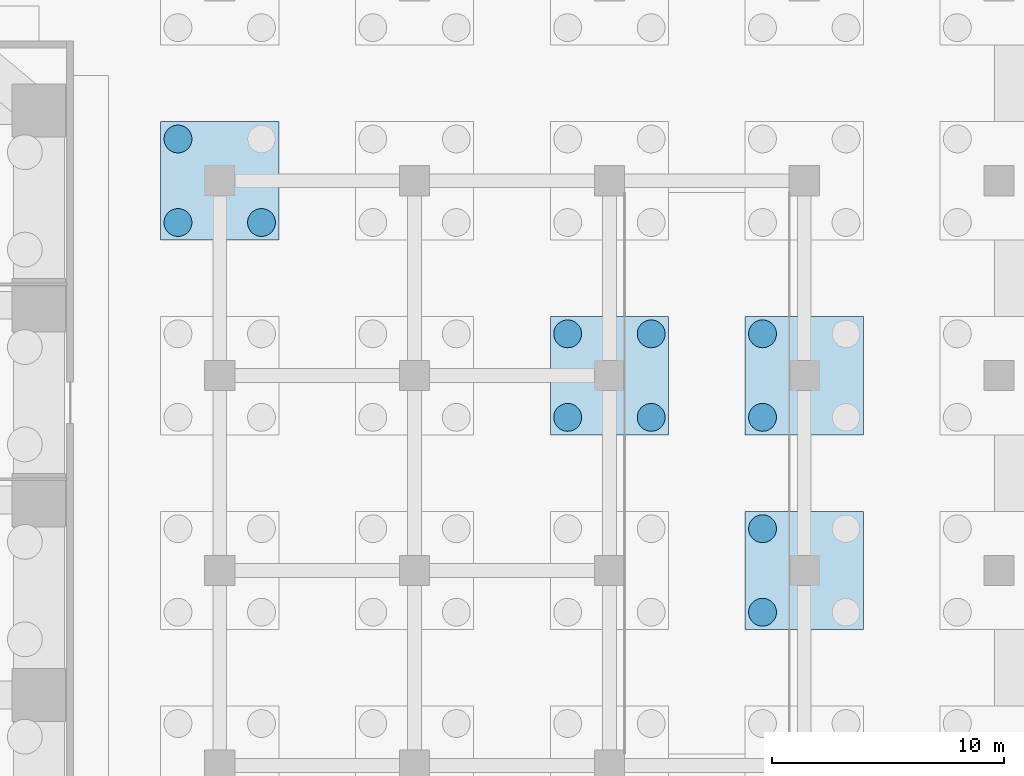
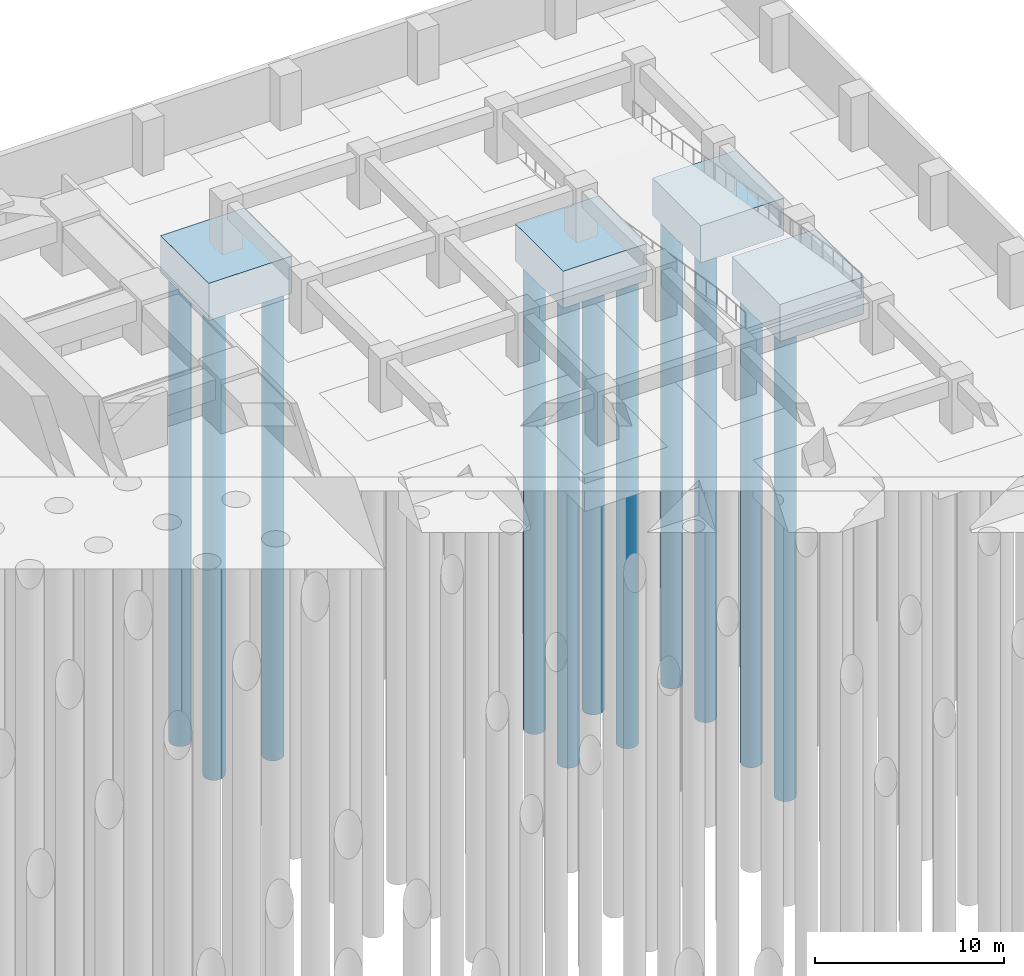
# One storey, part 43 of 73: 11 piles, 4 footings.
"""IFC4 building model written with IfcOpenShell, lengths in metres."""

from ifc_helpers import new_model, si_unit, direction, frame, origin, origin_2d, place, context, subcontext, project, spatial, polyline, circle, outline, extrude, material, material_profile, profile_set, type_object, element, save


model = new_model("IFC4")

# Units and contexts
model_context = context("Model", 3, precision=1e-05, world=origin(), true_north=direction((0.0, 1.0)))
body_context = subcontext(model_context, "Body", "Model", "MODEL_VIEW")
ifc_project = project(units=[si_unit("LENGTHUNIT", "METRE"), si_unit("AREAUNIT", "SQUARE_METRE"), si_unit("VOLUMEUNIT", "CUBIC_METRE"), si_unit("PLANEANGLEUNIT", "RADIAN"), si_unit("MASSUNIT", "GRAM", prefix="KILO")], contexts=[model_context])

# Site, building, storey
site_placement = place(None, origin())
site = spatial("IfcSite", under=ifc_project, at=site_placement, CompositionType="ELEMENT")
building_placement = place(site_placement, origin())
building = spatial("IfcBuilding", under=site, at=building_placement, Name="Impinga Residences", CompositionType="ELEMENT")
storey_placement = place(building_placement, frame((0.0, 0.0, -10.5)))
storey = spatial("IfcBuildingStorey", under=building, at=storey_placement, Name="B3", CompositionType="ELEMENT", Elevation=-10.5)

# Piles
ifc_material_1 = material(Name="Concrete C35/45", Category="concrete")
ifc_material_profile = material_profile(ifc_material_1, circle(Radius=0.60009765625, at=origin_2d()), Name="D1200")
ifc_profile_set = profile_set([ifc_material_profile], Name="Concrete C35/45")
pile_type = type_object("IfcPileType", Name="BP2 bored pile D1200", PredefinedType="BORED", material=ifc_profile_set)
pile_1_placement = place(storey_placement, frame((15.0, 40.199951171875, -2.39990234375), z_axis=(0.0, 0.0, -1.0), x_axis=(1.0, 0.0, 0.0)))
element("IfcPile", 1, at=pile_1_placement, inside=storey, type_object=pile_type, Name="Cap pile BP2 9/L-1", PredefinedType="BORED", context=body_context, shape_type="SweptSolid", body=[
    extrude(outline(polyline([(0.60009765625, 0.0), (0.59716796875, 0.058837890625), (0.58837890625, 0.116943359375), (0.57421875, 0.174072265625), (0.554443359375, 0.2294921875), (0.529052734375, 0.282958984375), (0.498779296875, 0.333251953125), (0.4638671875, 0.380615234375), (0.42431640625, 0.42431640625), (0.380615234375, 0.4638671875), (0.333251953125, 0.498779296875), (0.282958984375, 0.529052734375), (0.2294921875, 0.554443359375), (0.174072265625, 0.57421875), (0.116943359375, 0.58837890625), (0.058837890625, 0.59716796875), (0.0, 0.60009765625), (-0.058837890625, 0.59716796875), (-0.116943359375, 0.58837890625), (-0.174072265625, 0.57421875), (-0.2294921875, 0.554443359375), (-0.282958984375, 0.529052734375), (-0.333251953125, 0.498779296875), (-0.380615234375, 0.4638671875), (-0.42431640625, 0.42431640625), (-0.4638671875, 0.380615234375), (-0.498779296875, 0.333251953125), (-0.529052734375, 0.282958984375), (-0.554443359375, 0.2294921875), (-0.57421875, 0.174072265625), (-0.58837890625, 0.116943359375), (-0.59716796875, 0.058837890625), (-0.60009765625, 0.0), (-0.59716796875, -0.058837890625), (-0.58837890625, -0.116943359375), (-0.57421875, -0.174072265625), (-0.554443359375, -0.2294921875), (-0.529052734375, -0.282958984375), (-0.498779296875, -0.333251953125), (-0.4638671875, -0.380615234375), (-0.42431640625, -0.42431640625), (-0.380615234375, -0.4638671875), (-0.333251953125, -0.498779296875), (-0.282958984375, -0.529052734375), (-0.2294921875, -0.554443359375), (-0.174072265625, -0.57421875), (-0.116943359375, -0.58837890625), (-0.058837890625, -0.59716796875), (0.0, -0.60009765625), (0.058837890625, -0.59716796875), (0.116943359375, -0.58837890625), (0.174072265625, -0.57421875), (0.2294921875, -0.554443359375), (0.282958984375, -0.529052734375), (0.333251953125, -0.498779296875), (0.380615234375, -0.4638671875), (0.42431640625, -0.42431640625), (0.4638671875, -0.380615234375), (0.498779296875, -0.333251953125), (0.529052734375, -0.282958984375), (0.554443359375, -0.2294921875), (0.57421875, -0.174072265625), (0.58837890625, -0.116943359375), (0.59716796875, -0.058837890625), (0.60009765625, 0.0)])), origin(), (0.0, 0.0, 1.0), 30.0),
])
pile_2_placement = place(storey_placement, frame((18.60009765625, 40.199951171875, -2.39990234375), z_axis=(0.0, 0.0, -1.0), x_axis=(1.0, 0.0, 0.0)))
element("IfcPile", 2, at=pile_2_placement, inside=storey, type_object=pile_type, Name="Cap pile BP2 9/L-2", PredefinedType="BORED", context=body_context, shape_type="SweptSolid", body=[
    extrude(outline(polyline([(0.60009765625, 0.0), (0.59716796875, 0.058837890625), (0.58837890625, 0.116943359375), (0.57421875, 0.174072265625), (0.554443359375, 0.2294921875), (0.529052734375, 0.282958984375), (0.498779296875, 0.333251953125), (0.4638671875, 0.380615234375), (0.42431640625, 0.42431640625), (0.380615234375, 0.4638671875), (0.333251953125, 0.498779296875), (0.282958984375, 0.529052734375), (0.2294921875, 0.554443359375), (0.174072265625, 0.57421875), (0.116943359375, 0.58837890625), (0.058837890625, 0.59716796875), (0.0, 0.60009765625), (-0.058837890625, 0.59716796875), (-0.116943359375, 0.58837890625), (-0.174072265625, 0.57421875), (-0.2294921875, 0.554443359375), (-0.282958984375, 0.529052734375), (-0.333251953125, 0.498779296875), (-0.380615234375, 0.4638671875), (-0.42431640625, 0.42431640625), (-0.4638671875, 0.380615234375), (-0.498779296875, 0.333251953125), (-0.529052734375, 0.282958984375), (-0.554443359375, 0.2294921875), (-0.57421875, 0.174072265625), (-0.58837890625, 0.116943359375), (-0.59716796875, 0.058837890625), (-0.60009765625, 0.0), (-0.59716796875, -0.058837890625), (-0.58837890625, -0.116943359375), (-0.57421875, -0.174072265625), (-0.554443359375, -0.2294921875), (-0.529052734375, -0.282958984375), (-0.498779296875, -0.333251953125), (-0.4638671875, -0.380615234375), (-0.42431640625, -0.42431640625), (-0.380615234375, -0.4638671875), (-0.333251953125, -0.498779296875), (-0.282958984375, -0.529052734375), (-0.2294921875, -0.554443359375), (-0.174072265625, -0.57421875), (-0.116943359375, -0.58837890625), (-0.058837890625, -0.59716796875), (0.0, -0.60009765625), (0.058837890625, -0.59716796875), (0.116943359375, -0.58837890625), (0.174072265625, -0.57421875), (0.2294921875, -0.554443359375), (0.282958984375, -0.529052734375), (0.333251953125, -0.498779296875), (0.380615234375, -0.4638671875), (0.42431640625, -0.42431640625), (0.4638671875, -0.380615234375), (0.498779296875, -0.333251953125), (0.529052734375, -0.282958984375), (0.554443359375, -0.2294921875), (0.57421875, -0.174072265625), (0.58837890625, -0.116943359375), (0.59716796875, -0.058837890625), (0.60009765625, 0.0)])), origin(), (0.0, 0.0, 1.0), 30.0),
])
pile_3_placement = place(storey_placement, frame((15.0, 43.800048828125, -2.39990234375), z_axis=(0.0, 0.0, -1.0), x_axis=(1.0, 0.0, 0.0)))
element("IfcPile", 3, at=pile_3_placement, inside=storey, type_object=pile_type, Name="Cap pile BP2 9/L-4", PredefinedType="BORED", context=body_context, shape_type="SweptSolid", body=[
    extrude(outline(polyline([(0.60009765625, 0.0), (0.59716796875, 0.058837890625), (0.58837890625, 0.116943359375), (0.57421875, 0.174072265625), (0.554443359375, 0.2294921875), (0.529052734375, 0.282958984375), (0.498779296875, 0.333251953125), (0.4638671875, 0.380615234375), (0.42431640625, 0.42431640625), (0.380615234375, 0.4638671875), (0.333251953125, 0.498779296875), (0.282958984375, 0.529052734375), (0.2294921875, 0.554443359375), (0.174072265625, 0.57421875), (0.116943359375, 0.58837890625), (0.058837890625, 0.59716796875), (0.0, 0.60009765625), (-0.058837890625, 0.59716796875), (-0.116943359375, 0.58837890625), (-0.174072265625, 0.57421875), (-0.2294921875, 0.554443359375), (-0.282958984375, 0.529052734375), (-0.333251953125, 0.498779296875), (-0.380615234375, 0.4638671875), (-0.42431640625, 0.42431640625), (-0.4638671875, 0.380615234375), (-0.498779296875, 0.333251953125), (-0.529052734375, 0.282958984375), (-0.554443359375, 0.2294921875), (-0.57421875, 0.174072265625), (-0.58837890625, 0.116943359375), (-0.59716796875, 0.058837890625), (-0.60009765625, 0.0), (-0.59716796875, -0.058837890625), (-0.58837890625, -0.116943359375), (-0.57421875, -0.174072265625), (-0.554443359375, -0.2294921875), (-0.529052734375, -0.282958984375), (-0.498779296875, -0.333251953125), (-0.4638671875, -0.380615234375), (-0.42431640625, -0.42431640625), (-0.380615234375, -0.4638671875), (-0.333251953125, -0.498779296875), (-0.282958984375, -0.529052734375), (-0.2294921875, -0.554443359375), (-0.174072265625, -0.57421875), (-0.116943359375, -0.58837890625), (-0.058837890625, -0.59716796875), (0.0, -0.60009765625), (0.058837890625, -0.59716796875), (0.116943359375, -0.58837890625), (0.174072265625, -0.57421875), (0.2294921875, -0.554443359375), (0.282958984375, -0.529052734375), (0.333251953125, -0.498779296875), (0.380615234375, -0.4638671875), (0.42431640625, -0.42431640625), (0.4638671875, -0.380615234375), (0.498779296875, -0.333251953125), (0.529052734375, -0.282958984375), (0.554443359375, -0.2294921875), (0.57421875, -0.174072265625), (0.58837890625, -0.116943359375), (0.59716796875, -0.058837890625), (0.60009765625, 0.0)])), origin(), (0.0, 0.0, 1.0), 30.0),
])
pile_4_placement = place(storey_placement, frame((31.800048828125, 31.800048828125, -2.39990234375), z_axis=(0.0, 0.0, -1.0), x_axis=(1.0, 0.0, 0.0)))
element("IfcPile", 4, at=pile_4_placement, inside=storey, type_object=pile_type, Name="Cap pile BP2 11/K-1", PredefinedType="BORED", context=body_context, shape_type="SweptSolid", body=[
    extrude(outline(polyline([(0.60009765625, 0.0), (0.59716796875, 0.058837890625), (0.58837890625, 0.116943359375), (0.57421875, 0.174072265625), (0.554443359375, 0.2294921875), (0.529052734375, 0.282958984375), (0.498779296875, 0.333251953125), (0.4638671875, 0.380615234375), (0.42431640625, 0.42431640625), (0.380615234375, 0.4638671875), (0.333251953125, 0.498779296875), (0.282958984375, 0.529052734375), (0.2294921875, 0.554443359375), (0.174072265625, 0.57421875), (0.116943359375, 0.58837890625), (0.058837890625, 0.59716796875), (0.0, 0.60009765625), (-0.058837890625, 0.59716796875), (-0.116943359375, 0.58837890625), (-0.174072265625, 0.57421875), (-0.2294921875, 0.554443359375), (-0.282958984375, 0.529052734375), (-0.333251953125, 0.498779296875), (-0.380615234375, 0.4638671875), (-0.42431640625, 0.42431640625), (-0.4638671875, 0.380615234375), (-0.498779296875, 0.333251953125), (-0.529052734375, 0.282958984375), (-0.554443359375, 0.2294921875), (-0.57421875, 0.174072265625), (-0.58837890625, 0.116943359375), (-0.59716796875, 0.058837890625), (-0.60009765625, 0.0), (-0.59716796875, -0.058837890625), (-0.58837890625, -0.116943359375), (-0.57421875, -0.174072265625), (-0.554443359375, -0.2294921875), (-0.529052734375, -0.282958984375), (-0.498779296875, -0.333251953125), (-0.4638671875, -0.380615234375), (-0.42431640625, -0.42431640625), (-0.380615234375, -0.4638671875), (-0.333251953125, -0.498779296875), (-0.282958984375, -0.529052734375), (-0.2294921875, -0.554443359375), (-0.174072265625, -0.57421875), (-0.116943359375, -0.58837890625), (-0.058837890625, -0.59716796875), (0.0, -0.60009765625), (0.058837890625, -0.59716796875), (0.116943359375, -0.58837890625), (0.174072265625, -0.57421875), (0.2294921875, -0.554443359375), (0.282958984375, -0.529052734375), (0.333251953125, -0.498779296875), (0.380615234375, -0.4638671875), (0.42431640625, -0.42431640625), (0.4638671875, -0.380615234375), (0.498779296875, -0.333251953125), (0.529052734375, -0.282958984375), (0.554443359375, -0.2294921875), (0.57421875, -0.174072265625), (0.58837890625, -0.116943359375), (0.59716796875, -0.058837890625), (0.60009765625, 0.0)])), origin(), (0.0, 0.0, 1.0), 30.0),
])
pile_5_placement = place(storey_placement, frame((35.39990234375, 31.800048828125, -2.39990234375), z_axis=(0.0, 0.0, -1.0), x_axis=(1.0, 0.0, 0.0)))
element("IfcPile", 5, at=pile_5_placement, inside=storey, type_object=pile_type, Name="Cap pile BP2 11/K-2", PredefinedType="BORED", context=body_context, shape_type="SweptSolid", body=[
    extrude(outline(polyline([(0.60009765625, 0.0), (0.59716796875, 0.058837890625), (0.58837890625, 0.116943359375), (0.57421875, 0.174072265625), (0.554443359375, 0.2294921875), (0.529052734375, 0.282958984375), (0.498779296875, 0.333251953125), (0.4638671875, 0.380615234375), (0.42431640625, 0.42431640625), (0.380615234375, 0.4638671875), (0.333251953125, 0.498779296875), (0.282958984375, 0.529052734375), (0.2294921875, 0.554443359375), (0.174072265625, 0.57421875), (0.116943359375, 0.58837890625), (0.058837890625, 0.59716796875), (0.0, 0.60009765625), (-0.058837890625, 0.59716796875), (-0.116943359375, 0.58837890625), (-0.174072265625, 0.57421875), (-0.2294921875, 0.554443359375), (-0.282958984375, 0.529052734375), (-0.333251953125, 0.498779296875), (-0.380615234375, 0.4638671875), (-0.42431640625, 0.42431640625), (-0.4638671875, 0.380615234375), (-0.498779296875, 0.333251953125), (-0.529052734375, 0.282958984375), (-0.554443359375, 0.2294921875), (-0.57421875, 0.174072265625), (-0.58837890625, 0.116943359375), (-0.59716796875, 0.058837890625), (-0.60009765625, 0.0), (-0.59716796875, -0.058837890625), (-0.58837890625, -0.116943359375), (-0.57421875, -0.174072265625), (-0.554443359375, -0.2294921875), (-0.529052734375, -0.282958984375), (-0.498779296875, -0.333251953125), (-0.4638671875, -0.380615234375), (-0.42431640625, -0.42431640625), (-0.380615234375, -0.4638671875), (-0.333251953125, -0.498779296875), (-0.282958984375, -0.529052734375), (-0.2294921875, -0.554443359375), (-0.174072265625, -0.57421875), (-0.116943359375, -0.58837890625), (-0.058837890625, -0.59716796875), (0.0, -0.60009765625), (0.058837890625, -0.59716796875), (0.116943359375, -0.58837890625), (0.174072265625, -0.57421875), (0.2294921875, -0.554443359375), (0.282958984375, -0.529052734375), (0.333251953125, -0.498779296875), (0.380615234375, -0.4638671875), (0.42431640625, -0.42431640625), (0.4638671875, -0.380615234375), (0.498779296875, -0.333251953125), (0.529052734375, -0.282958984375), (0.554443359375, -0.2294921875), (0.57421875, -0.174072265625), (0.58837890625, -0.116943359375), (0.59716796875, -0.058837890625), (0.60009765625, 0.0)])), origin(), (0.0, 0.0, 1.0), 30.0),
])
pile_6_placement = place(storey_placement, frame((35.39990234375, 35.39990234375, -2.39990234375), z_axis=(0.0, 0.0, -1.0), x_axis=(1.0, 0.0, 0.0)))
element("IfcPile", 6, at=pile_6_placement, inside=storey, type_object=pile_type, Name="Cap pile BP2 11/K-3", PredefinedType="BORED", context=body_context, shape_type="SweptSolid", body=[
    extrude(outline(polyline([(0.60009765625, 0.0), (0.59716796875, 0.058837890625), (0.58837890625, 0.116943359375), (0.57421875, 0.174072265625), (0.554443359375, 0.2294921875), (0.529052734375, 0.282958984375), (0.498779296875, 0.333251953125), (0.4638671875, 0.380615234375), (0.42431640625, 0.42431640625), (0.380615234375, 0.4638671875), (0.333251953125, 0.498779296875), (0.282958984375, 0.529052734375), (0.2294921875, 0.554443359375), (0.174072265625, 0.57421875), (0.116943359375, 0.58837890625), (0.058837890625, 0.59716796875), (0.0, 0.60009765625), (-0.058837890625, 0.59716796875), (-0.116943359375, 0.58837890625), (-0.174072265625, 0.57421875), (-0.2294921875, 0.554443359375), (-0.282958984375, 0.529052734375), (-0.333251953125, 0.498779296875), (-0.380615234375, 0.4638671875), (-0.42431640625, 0.42431640625), (-0.4638671875, 0.380615234375), (-0.498779296875, 0.333251953125), (-0.529052734375, 0.282958984375), (-0.554443359375, 0.2294921875), (-0.57421875, 0.174072265625), (-0.58837890625, 0.116943359375), (-0.59716796875, 0.058837890625), (-0.60009765625, 0.0), (-0.59716796875, -0.058837890625), (-0.58837890625, -0.116943359375), (-0.57421875, -0.174072265625), (-0.554443359375, -0.2294921875), (-0.529052734375, -0.282958984375), (-0.498779296875, -0.333251953125), (-0.4638671875, -0.380615234375), (-0.42431640625, -0.42431640625), (-0.380615234375, -0.4638671875), (-0.333251953125, -0.498779296875), (-0.282958984375, -0.529052734375), (-0.2294921875, -0.554443359375), (-0.174072265625, -0.57421875), (-0.116943359375, -0.58837890625), (-0.058837890625, -0.59716796875), (0.0, -0.60009765625), (0.058837890625, -0.59716796875), (0.116943359375, -0.58837890625), (0.174072265625, -0.57421875), (0.2294921875, -0.554443359375), (0.282958984375, -0.529052734375), (0.333251953125, -0.498779296875), (0.380615234375, -0.4638671875), (0.42431640625, -0.42431640625), (0.4638671875, -0.380615234375), (0.498779296875, -0.333251953125), (0.529052734375, -0.282958984375), (0.554443359375, -0.2294921875), (0.57421875, -0.174072265625), (0.58837890625, -0.116943359375), (0.59716796875, -0.058837890625), (0.60009765625, 0.0)])), origin(), (0.0, 0.0, 1.0), 30.0),
])
pile_7_placement = place(storey_placement, frame((31.800048828125, 35.39990234375, -2.39990234375), z_axis=(0.0, 0.0, -1.0), x_axis=(1.0, 0.0, 0.0)))
element("IfcPile", 7, at=pile_7_placement, inside=storey, type_object=pile_type, Name="Cap pile BP2 11/K-4", PredefinedType="BORED", context=body_context, shape_type="SweptSolid", body=[
    extrude(outline(polyline([(0.60009765625, 0.0), (0.59716796875, 0.058837890625), (0.58837890625, 0.116943359375), (0.57421875, 0.174072265625), (0.554443359375, 0.2294921875), (0.529052734375, 0.282958984375), (0.498779296875, 0.333251953125), (0.4638671875, 0.380615234375), (0.42431640625, 0.42431640625), (0.380615234375, 0.4638671875), (0.333251953125, 0.498779296875), (0.282958984375, 0.529052734375), (0.2294921875, 0.554443359375), (0.174072265625, 0.57421875), (0.116943359375, 0.58837890625), (0.058837890625, 0.59716796875), (0.0, 0.60009765625), (-0.058837890625, 0.59716796875), (-0.116943359375, 0.58837890625), (-0.174072265625, 0.57421875), (-0.2294921875, 0.554443359375), (-0.282958984375, 0.529052734375), (-0.333251953125, 0.498779296875), (-0.380615234375, 0.4638671875), (-0.42431640625, 0.42431640625), (-0.4638671875, 0.380615234375), (-0.498779296875, 0.333251953125), (-0.529052734375, 0.282958984375), (-0.554443359375, 0.2294921875), (-0.57421875, 0.174072265625), (-0.58837890625, 0.116943359375), (-0.59716796875, 0.058837890625), (-0.60009765625, 0.0), (-0.59716796875, -0.058837890625), (-0.58837890625, -0.116943359375), (-0.57421875, -0.174072265625), (-0.554443359375, -0.2294921875), (-0.529052734375, -0.282958984375), (-0.498779296875, -0.333251953125), (-0.4638671875, -0.380615234375), (-0.42431640625, -0.42431640625), (-0.380615234375, -0.4638671875), (-0.333251953125, -0.498779296875), (-0.282958984375, -0.529052734375), (-0.2294921875, -0.554443359375), (-0.174072265625, -0.57421875), (-0.116943359375, -0.58837890625), (-0.058837890625, -0.59716796875), (0.0, -0.60009765625), (0.058837890625, -0.59716796875), (0.116943359375, -0.58837890625), (0.174072265625, -0.57421875), (0.2294921875, -0.554443359375), (0.282958984375, -0.529052734375), (0.333251953125, -0.498779296875), (0.380615234375, -0.4638671875), (0.42431640625, -0.42431640625), (0.4638671875, -0.380615234375), (0.498779296875, -0.333251953125), (0.529052734375, -0.282958984375), (0.554443359375, -0.2294921875), (0.57421875, -0.174072265625), (0.58837890625, -0.116943359375), (0.59716796875, -0.058837890625), (0.60009765625, 0.0)])), origin(), (0.0, 0.0, 1.0), 30.0),
])
pile_8_placement = place(storey_placement, frame((40.199951171875, 23.39990234375, -2.39990234375), z_axis=(0.0, 0.0, -1.0), x_axis=(1.0, 0.0, 0.0)))
element("IfcPile", 8, at=pile_8_placement, inside=storey, type_object=pile_type, Name="Cap pile BP2 12/J-1", PredefinedType="BORED", context=body_context, shape_type="SweptSolid", body=[
    extrude(outline(polyline([(0.60009765625, 0.0), (0.59716796875, 0.058837890625), (0.58837890625, 0.116943359375), (0.57421875, 0.174072265625), (0.554443359375, 0.2294921875), (0.529052734375, 0.282958984375), (0.498779296875, 0.333251953125), (0.4638671875, 0.380615234375), (0.42431640625, 0.42431640625), (0.380615234375, 0.4638671875), (0.333251953125, 0.498779296875), (0.282958984375, 0.529052734375), (0.2294921875, 0.554443359375), (0.174072265625, 0.57421875), (0.116943359375, 0.58837890625), (0.058837890625, 0.59716796875), (0.0, 0.60009765625), (-0.058837890625, 0.59716796875), (-0.116943359375, 0.58837890625), (-0.174072265625, 0.57421875), (-0.2294921875, 0.554443359375), (-0.282958984375, 0.529052734375), (-0.333251953125, 0.498779296875), (-0.380615234375, 0.4638671875), (-0.42431640625, 0.42431640625), (-0.4638671875, 0.380615234375), (-0.498779296875, 0.333251953125), (-0.529052734375, 0.282958984375), (-0.554443359375, 0.2294921875), (-0.57421875, 0.174072265625), (-0.58837890625, 0.116943359375), (-0.59716796875, 0.058837890625), (-0.60009765625, 0.0), (-0.59716796875, -0.058837890625), (-0.58837890625, -0.116943359375), (-0.57421875, -0.174072265625), (-0.554443359375, -0.2294921875), (-0.529052734375, -0.282958984375), (-0.498779296875, -0.333251953125), (-0.4638671875, -0.380615234375), (-0.42431640625, -0.42431640625), (-0.380615234375, -0.4638671875), (-0.333251953125, -0.498779296875), (-0.282958984375, -0.529052734375), (-0.2294921875, -0.554443359375), (-0.174072265625, -0.57421875), (-0.116943359375, -0.58837890625), (-0.058837890625, -0.59716796875), (0.0, -0.60009765625), (0.058837890625, -0.59716796875), (0.116943359375, -0.58837890625), (0.174072265625, -0.57421875), (0.2294921875, -0.554443359375), (0.282958984375, -0.529052734375), (0.333251953125, -0.498779296875), (0.380615234375, -0.4638671875), (0.42431640625, -0.42431640625), (0.4638671875, -0.380615234375), (0.498779296875, -0.333251953125), (0.529052734375, -0.282958984375), (0.554443359375, -0.2294921875), (0.57421875, -0.174072265625), (0.58837890625, -0.116943359375), (0.59716796875, -0.058837890625), (0.60009765625, 0.0)])), origin(), (0.0, 0.0, 1.0), 30.0),
])
pile_9_placement = place(storey_placement, frame((40.199951171875, 27.0, -2.39990234375), z_axis=(0.0, 0.0, -1.0), x_axis=(1.0, 0.0, 0.0)))
element("IfcPile", 9, at=pile_9_placement, inside=storey, type_object=pile_type, Name="Cap pile BP2 12/J-4", PredefinedType="BORED", context=body_context, shape_type="SweptSolid", body=[
    extrude(outline(polyline([(0.60009765625, 0.0), (0.59716796875, 0.058837890625), (0.58837890625, 0.116943359375), (0.57421875, 0.174072265625), (0.554443359375, 0.2294921875), (0.529052734375, 0.282958984375), (0.498779296875, 0.333251953125), (0.4638671875, 0.380615234375), (0.42431640625, 0.42431640625), (0.380615234375, 0.4638671875), (0.333251953125, 0.498779296875), (0.282958984375, 0.529052734375), (0.2294921875, 0.554443359375), (0.174072265625, 0.57421875), (0.116943359375, 0.58837890625), (0.058837890625, 0.59716796875), (0.0, 0.60009765625), (-0.058837890625, 0.59716796875), (-0.116943359375, 0.58837890625), (-0.174072265625, 0.57421875), (-0.2294921875, 0.554443359375), (-0.282958984375, 0.529052734375), (-0.333251953125, 0.498779296875), (-0.380615234375, 0.4638671875), (-0.42431640625, 0.42431640625), (-0.4638671875, 0.380615234375), (-0.498779296875, 0.333251953125), (-0.529052734375, 0.282958984375), (-0.554443359375, 0.2294921875), (-0.57421875, 0.174072265625), (-0.58837890625, 0.116943359375), (-0.59716796875, 0.058837890625), (-0.60009765625, 0.0), (-0.59716796875, -0.058837890625), (-0.58837890625, -0.116943359375), (-0.57421875, -0.174072265625), (-0.554443359375, -0.2294921875), (-0.529052734375, -0.282958984375), (-0.498779296875, -0.333251953125), (-0.4638671875, -0.380615234375), (-0.42431640625, -0.42431640625), (-0.380615234375, -0.4638671875), (-0.333251953125, -0.498779296875), (-0.282958984375, -0.529052734375), (-0.2294921875, -0.554443359375), (-0.174072265625, -0.57421875), (-0.116943359375, -0.58837890625), (-0.058837890625, -0.59716796875), (0.0, -0.60009765625), (0.058837890625, -0.59716796875), (0.116943359375, -0.58837890625), (0.174072265625, -0.57421875), (0.2294921875, -0.554443359375), (0.282958984375, -0.529052734375), (0.333251953125, -0.498779296875), (0.380615234375, -0.4638671875), (0.42431640625, -0.42431640625), (0.4638671875, -0.380615234375), (0.498779296875, -0.333251953125), (0.529052734375, -0.282958984375), (0.554443359375, -0.2294921875), (0.57421875, -0.174072265625), (0.58837890625, -0.116943359375), (0.59716796875, -0.058837890625), (0.60009765625, 0.0)])), origin(), (0.0, 0.0, 1.0), 30.0),
])
pile_10_placement = place(storey_placement, frame((40.199951171875, 31.800048828125, -2.39990234375), z_axis=(0.0, 0.0, -1.0), x_axis=(1.0, 0.0, 0.0)))
element("IfcPile", 10, at=pile_10_placement, inside=storey, type_object=pile_type, Name="Cap pile BP2 12/K-1", PredefinedType="BORED", context=body_context, shape_type="SweptSolid", body=[
    extrude(outline(polyline([(0.60009765625, 0.0), (0.59716796875, 0.058837890625), (0.58837890625, 0.116943359375), (0.57421875, 0.174072265625), (0.554443359375, 0.2294921875), (0.529052734375, 0.282958984375), (0.498779296875, 0.333251953125), (0.4638671875, 0.380615234375), (0.42431640625, 0.42431640625), (0.380615234375, 0.4638671875), (0.333251953125, 0.498779296875), (0.282958984375, 0.529052734375), (0.2294921875, 0.554443359375), (0.174072265625, 0.57421875), (0.116943359375, 0.58837890625), (0.058837890625, 0.59716796875), (0.0, 0.60009765625), (-0.058837890625, 0.59716796875), (-0.116943359375, 0.58837890625), (-0.174072265625, 0.57421875), (-0.2294921875, 0.554443359375), (-0.282958984375, 0.529052734375), (-0.333251953125, 0.498779296875), (-0.380615234375, 0.4638671875), (-0.42431640625, 0.42431640625), (-0.4638671875, 0.380615234375), (-0.498779296875, 0.333251953125), (-0.529052734375, 0.282958984375), (-0.554443359375, 0.2294921875), (-0.57421875, 0.174072265625), (-0.58837890625, 0.116943359375), (-0.59716796875, 0.058837890625), (-0.60009765625, 0.0), (-0.59716796875, -0.058837890625), (-0.58837890625, -0.116943359375), (-0.57421875, -0.174072265625), (-0.554443359375, -0.2294921875), (-0.529052734375, -0.282958984375), (-0.498779296875, -0.333251953125), (-0.4638671875, -0.380615234375), (-0.42431640625, -0.42431640625), (-0.380615234375, -0.4638671875), (-0.333251953125, -0.498779296875), (-0.282958984375, -0.529052734375), (-0.2294921875, -0.554443359375), (-0.174072265625, -0.57421875), (-0.116943359375, -0.58837890625), (-0.058837890625, -0.59716796875), (0.0, -0.60009765625), (0.058837890625, -0.59716796875), (0.116943359375, -0.58837890625), (0.174072265625, -0.57421875), (0.2294921875, -0.554443359375), (0.282958984375, -0.529052734375), (0.333251953125, -0.498779296875), (0.380615234375, -0.4638671875), (0.42431640625, -0.42431640625), (0.4638671875, -0.380615234375), (0.498779296875, -0.333251953125), (0.529052734375, -0.282958984375), (0.554443359375, -0.2294921875), (0.57421875, -0.174072265625), (0.58837890625, -0.116943359375), (0.59716796875, -0.058837890625), (0.60009765625, 0.0)])), origin(), (0.0, 0.0, 1.0), 30.0),
])
pile_11_placement = place(storey_placement, frame((40.199951171875, 35.39990234375, -2.39990234375), z_axis=(0.0, 0.0, -1.0), x_axis=(1.0, 0.0, 0.0)))
element("IfcPile", 11, at=pile_11_placement, inside=storey, type_object=pile_type, Name="Cap pile BP2 12/K-4", PredefinedType="BORED", context=body_context, shape_type="SweptSolid", body=[
    extrude(outline(polyline([(0.60009765625, 0.0), (0.59716796875, 0.058837890625), (0.58837890625, 0.116943359375), (0.57421875, 0.174072265625), (0.554443359375, 0.2294921875), (0.529052734375, 0.282958984375), (0.498779296875, 0.333251953125), (0.4638671875, 0.380615234375), (0.42431640625, 0.42431640625), (0.380615234375, 0.4638671875), (0.333251953125, 0.498779296875), (0.282958984375, 0.529052734375), (0.2294921875, 0.554443359375), (0.174072265625, 0.57421875), (0.116943359375, 0.58837890625), (0.058837890625, 0.59716796875), (0.0, 0.60009765625), (-0.058837890625, 0.59716796875), (-0.116943359375, 0.58837890625), (-0.174072265625, 0.57421875), (-0.2294921875, 0.554443359375), (-0.282958984375, 0.529052734375), (-0.333251953125, 0.498779296875), (-0.380615234375, 0.4638671875), (-0.42431640625, 0.42431640625), (-0.4638671875, 0.380615234375), (-0.498779296875, 0.333251953125), (-0.529052734375, 0.282958984375), (-0.554443359375, 0.2294921875), (-0.57421875, 0.174072265625), (-0.58837890625, 0.116943359375), (-0.59716796875, 0.058837890625), (-0.60009765625, 0.0), (-0.59716796875, -0.058837890625), (-0.58837890625, -0.116943359375), (-0.57421875, -0.174072265625), (-0.554443359375, -0.2294921875), (-0.529052734375, -0.282958984375), (-0.498779296875, -0.333251953125), (-0.4638671875, -0.380615234375), (-0.42431640625, -0.42431640625), (-0.380615234375, -0.4638671875), (-0.333251953125, -0.498779296875), (-0.282958984375, -0.529052734375), (-0.2294921875, -0.554443359375), (-0.174072265625, -0.57421875), (-0.116943359375, -0.58837890625), (-0.058837890625, -0.59716796875), (0.0, -0.60009765625), (0.058837890625, -0.59716796875), (0.116943359375, -0.58837890625), (0.174072265625, -0.57421875), (0.2294921875, -0.554443359375), (0.282958984375, -0.529052734375), (0.333251953125, -0.498779296875), (0.380615234375, -0.4638671875), (0.42431640625, -0.42431640625), (0.4638671875, -0.380615234375), (0.498779296875, -0.333251953125), (0.529052734375, -0.282958984375), (0.554443359375, -0.2294921875), (0.57421875, -0.174072265625), (0.58837890625, -0.116943359375), (0.59716796875, -0.058837890625), (0.60009765625, 0.0)])), origin(), (0.0, 0.0, 1.0), 30.0),
])

# Footings
ifc_material_2 = material(Name="Concrete C45/55", Category="concrete")
footing_type = type_object("IfcFootingType", Name="PC4 four-pile cap 5100 square 2400 deep", PredefinedType="PILE_CAP", material=ifc_material_2)
footing_1_placement = place(storey_placement, frame((0.0, 0.0, -2.39990234375)))
element("IfcFooting", 12, at=footing_1_placement, inside=storey, type_object=footing_type, Name="Pile cap PC4 9/L", PredefinedType="PILE_CAP", context=body_context, shape_type="SweptSolid", body=[
    extrude(outline(polyline([(19.35009765625, 39.449951171875), (19.35009765625, 44.550048828125), (14.25, 44.550048828125), (14.25, 39.449951171875), (19.35009765625, 39.449951171875)])), origin(), (0.0, 0.0, 1.0), 2.39990234375),
])
footing_2_placement = place(storey_placement, frame((0.0, 0.0, -2.39990234375)))
element("IfcFooting", 13, at=footing_2_placement, inside=storey, type_object=footing_type, Name="Pile cap PC4 11/K", PredefinedType="PILE_CAP", context=body_context, shape_type="SweptSolid", body=[
    extrude(outline(polyline([(36.14990234375, 31.050048828125), (36.14990234375, 36.14990234375), (31.050048828125, 36.14990234375), (31.050048828125, 31.050048828125), (36.14990234375, 31.050048828125)])), origin(), (0.0, 0.0, 1.0), 2.39990234375),
])
footing_3_placement = place(storey_placement, frame((0.0, 0.0, -2.39990234375)))
element("IfcFooting", 14, at=footing_3_placement, inside=storey, type_object=footing_type, Name="Pile cap PC4 12/J", PredefinedType="PILE_CAP", context=body_context, shape_type="SweptSolid", body=[
    extrude(outline(polyline([(44.550048828125, 22.64990234375), (44.550048828125, 27.75), (39.449951171875, 27.75), (39.449951171875, 22.64990234375), (44.550048828125, 22.64990234375)])), origin(), (0.0, 0.0, 1.0), 2.39990234375),
])
footing_4_placement = place(storey_placement, frame((0.0, 0.0, -2.39990234375)))
element("IfcFooting", 15, at=footing_4_placement, inside=storey, type_object=footing_type, Name="Pile cap PC4 12/K", PredefinedType="PILE_CAP", context=body_context, shape_type="SweptSolid", body=[
    extrude(outline(polyline([(44.550048828125, 31.050048828125), (44.550048828125, 36.14990234375), (39.449951171875, 36.14990234375), (39.449951171875, 31.050048828125), (44.550048828125, 31.050048828125)])), origin(), (0.0, 0.0, 1.0), 2.39990234375),
])

save(model, "model.ifc")
